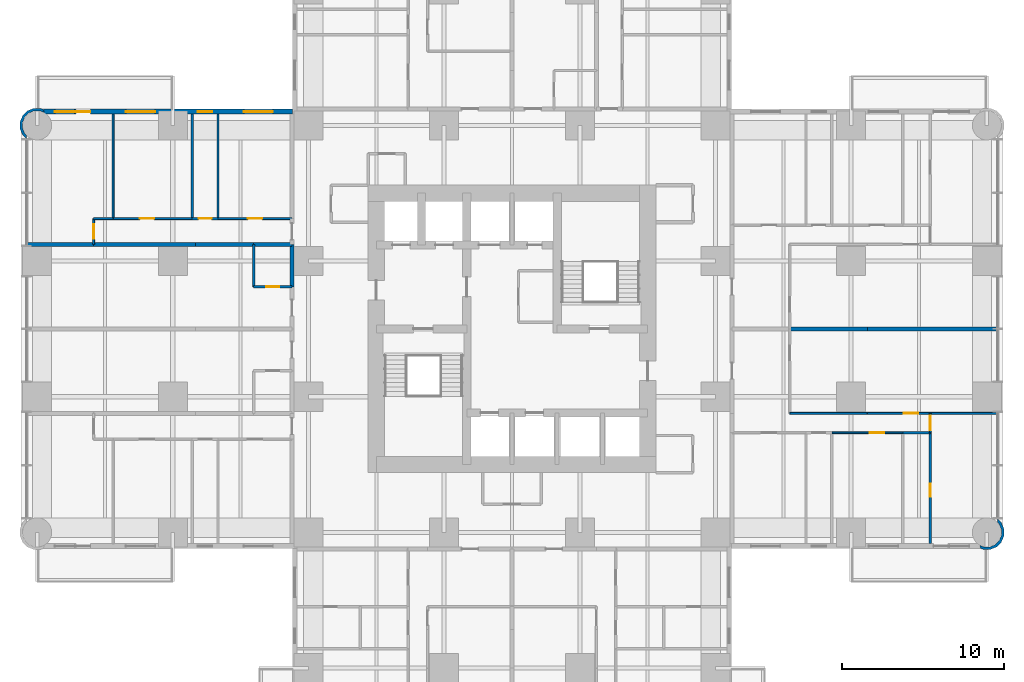
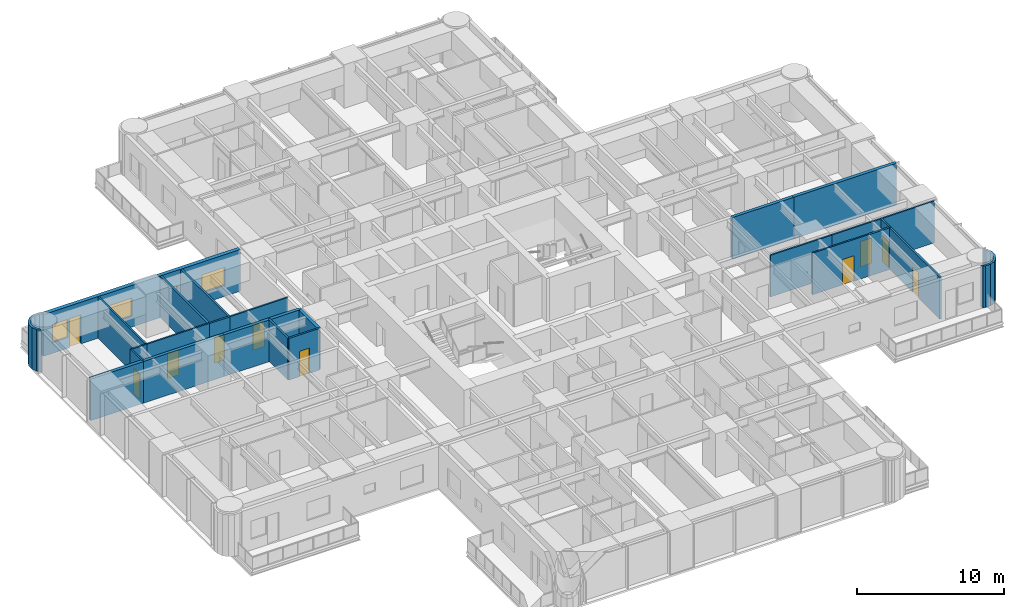
# One storey, part 11 of 17: 27 walls, 10 doors, 4 windows, 14 openings.
"""IFC4 building model written with IfcOpenShell, lengths in metres."""

from ifc_helpers import new_model, si_unit, direction, frame, frame_2d, origin, place, context, subcontext, project, spatial, polyline, rectangle, outline, extrude, material, layer, layer_set, type_object, element, fill, save


model = new_model("IFC4")

# Units and contexts
model_context = context("Model", 3, precision=1e-05, world=origin(), true_north=direction((0.0, 1.0)))
body_context = subcontext(model_context, "Body", "Model", "MODEL_VIEW")
ifc_project = project(units=[si_unit("LENGTHUNIT", "METRE"), si_unit("AREAUNIT", "SQUARE_METRE"), si_unit("VOLUMEUNIT", "CUBIC_METRE"), si_unit("PLANEANGLEUNIT", "RADIAN"), si_unit("MASSUNIT", "GRAM", prefix="KILO")], contexts=[model_context])

# Site, building, storey
site_placement = place(None, origin())
site = spatial("IfcSite", under=ifc_project, at=site_placement, CompositionType="ELEMENT")
building_placement = place(site_placement, origin())
building = spatial("IfcBuilding", under=site, at=building_placement, Name="Torre Alcanfor", CompositionType="ELEMENT")
storey_placement = place(building_placement, frame((0.0, 0.0, 70.5)))
storey = spatial("IfcBuildingStorey", under=building, at=storey_placement, Name="L17", CompositionType="ELEMENT", Elevation=70.5)

# Walls
ifc_material_1 = material(Name="Concrete block masonry, hollow blocks NMX-C-404 9 MPa", Category="masonry")
ifc_layer_1 = layer(ifc_material_1, 0.25)
ifc_layer_set_1 = layer_set([ifc_layer_1], Name="Apartment entrance wall 250 EI 60")
wall_type_1 = type_object("IfcWallType", Name="Apartment entrance wall 250 EI 60", PredefinedType="PARTITIONING", material=ifc_layer_set_1)
wall_1_placement = place(storey_placement, frame((15.77490234375, 32.0, 0.0), z_axis=(0.0, 0.0, 1.0), x_axis=(0.0, 1.0, 0.0)))
element("IfcWall", 1, at=wall_1_placement, inside=storey, type_object=wall_type_1, Name="Partition L17-CORR / L17-W2A-BATH", PredefinedType="PARTITIONING", context=body_context, shape_type="SweptSolid", body=[
    extrude(rectangle(XDim=2.62890625, YDim=0.25, at=frame_2d((1.314453125, 0.0))), origin(), (0.0, 0.0, 1.0), 3.449951171875),
])
ifc_material_2 = material(Name="Gypsum board on steel studs", Category="steel")
ifc_layer_2 = layer(ifc_material_2, 0.1201171875)
ifc_layer_set_2 = layer_set([ifc_layer_2], Name="Apartment partition 120")
wall_type_2 = type_object("IfcWallType", Name="Apartment partition 120", PredefinedType="PARTITIONING", material=ifc_layer_set_2)
wall_2_placement = place(storey_placement, frame((51.39990234375, 24.1708984375, 0.0), z_axis=(0.0, 0.0, 1.0), x_axis=(-1.0, 0.0, 0.0)))
element("IfcWall", 2, at=wall_2_placement, inside=storey, type_object=wall_type_2, Name="Partition L17-E2-KITCHEN / L17-E2-HALL", PredefinedType="PARTITIONING", context=body_context, shape_type="SweptSolid", body=[
    extrude(rectangle(XDim=4.7998046875, YDim=0.1201171875, at=frame_2d((2.39990234375, 0.0))), origin(), (0.0, 0.0, 1.0), 3.449951171875),
])

# Wall, opening, door
wall_3_placement = place(storey_placement, frame((55.300048828125, 24.1708984375, 0.0), z_axis=(0.0, 0.0, 1.0), x_axis=(-1.0, 0.0, 0.0)))
wall_3 = element("IfcWall", 3, at=wall_3_placement, inside=storey, type_object=wall_type_2, Name="Partition L17-E2-LIVING / L17-E2-HALL", PredefinedType="PARTITIONING", context=body_context, shape_type="SweptSolid", body=[
    extrude(rectangle(XDim=3.900146484375, YDim=0.1201171875, at=frame_2d((1.9501953125, 0.0))), origin(), (0.0, 0.0, 1.0), 3.449951171875),
])
opening_1_placement = place(wall_3_placement, frame((0.75, 0.0, 0.0)))
opening_1 = element("IfcOpeningElement", 4, at=opening_1_placement, cuts=wall_3, Name="Opening D-R1", PredefinedType="OPENING", context=body_context, shape_type="SweptSolid", body=[
    extrude(rectangle(XDim=0.89990234375, YDim=2.10009765625, at=frame_2d((0.449951171875, 1.050048828125))), frame((0.0, 0.070068359375, 0.0), z_axis=(0.0, -1.0, 0.0), x_axis=(1.0, 0.0, 0.0)), (0.0, 0.0, 1.0), 0.14013671875),
])
ifc_material_3 = material(Name="Timber", Category="wood")
door_type_1 = type_object("IfcDoorType", Name="Internal door 900x2100", OperationType="SINGLE_SWING_LEFT", PredefinedType="DOOR", material=ifc_material_3)
door_1_placement = place(opening_1_placement, frame((0.89990234375, 0.0, 0.0), z_axis=(0.0, 0.0, 1.0), x_axis=(-1.0, 0.0, 0.0)))
door_1 = element("IfcDoor", 5, at=door_1_placement, inside=storey, type_object=door_type_1, Name="Door L17-E2 living", OperationType="SINGLE_SWING_LEFT", OverallHeight=2.10009765625, OverallWidth=0.89990234375, PredefinedType="DOOR", context=body_context, shape_type="SweptSolid", body=[
    extrude(rectangle(XDim=0.89990234375, YDim=2.10009765625, at=frame_2d((0.449951171875, 1.050048828125))), frame((0.0, 0.025146484375, 0.0), z_axis=(0.0, -1.0, 0.0), x_axis=(1.0, 0.0, 0.0)), (0.0, 0.0, 1.0), 0.050048828125),
])
fill(opening_1, door_1)

# Wall
wall_4_placement = place(storey_placement, frame((59.449951171875, 24.1708984375, 0.0), z_axis=(0.0, 0.0, 1.0), x_axis=(-1.0, 0.0, 0.0)))
element("IfcWall", 6, at=wall_4_placement, inside=storey, type_object=wall_type_2, Name="Partition L17-E2-LIVING / L17-E2-MASTER", PredefinedType="PARTITIONING", context=body_context, shape_type="SweptSolid", body=[
    extrude(rectangle(XDim=4.14990234375, YDim=0.1201171875, at=frame_2d((2.074951171875, 0.0))), origin(), (0.0, 0.0, 1.0), 3.449951171875),
])

# Wall, opening, door
wall_5_placement = place(storey_placement, frame((53.60009765625, 22.970947265625, 0.0), z_axis=(0.0, 0.0, 1.0), x_axis=(-1.0, 0.0, 0.0)))
wall_5 = element("IfcWall", 7, at=wall_5_placement, inside=storey, type_object=wall_type_2, Name="Partition L17-E2-HALL / L17-E2-BED2", PredefinedType="PARTITIONING", context=body_context, shape_type="SweptSolid", body=[
    extrude(rectangle(XDim=4.400146484375, YDim=0.1201171875, at=frame_2d((2.2001953125, 0.0))), origin(), (0.0, 0.0, 1.0), 3.449951171875),
])
opening_2_placement = place(wall_5_placement, frame((1.14990234375, 0.0, 0.0)))
opening_2 = element("IfcOpeningElement", 8, at=opening_2_placement, cuts=wall_5, Name="Opening D-R1", PredefinedType="OPENING", context=body_context, shape_type="SweptSolid", body=[
    extrude(rectangle(XDim=0.89990234375, YDim=2.10009765625, at=frame_2d((0.449951171875, 1.050048828125))), frame((0.0, 0.070068359375, 0.0), z_axis=(0.0, -1.0, 0.0), x_axis=(1.0, 0.0, 0.0)), (0.0, 0.0, 1.0), 0.14013671875),
])
door_2_placement = place(opening_2_placement, origin())
door_2 = element("IfcDoor", 9, at=door_2_placement, inside=storey, type_object=door_type_1, Name="Door L17-E2 bed2", OperationType="SINGLE_SWING_LEFT", OverallHeight=2.10009765625, OverallWidth=0.89990234375, PredefinedType="DOOR", context=body_context, shape_type="SweptSolid", body=[
    extrude(rectangle(XDim=0.89990234375, YDim=2.10009765625, at=frame_2d((0.449951171875, 1.050048828125))), frame((0.0, 0.02490234375, 0.0), z_axis=(0.0, -1.0, 0.0), x_axis=(1.0, 0.0, 0.0)), (0.0, 0.0, 1.0), 0.050048828125),
])
fill(opening_2, door_2)

wall_6_placement = place(storey_placement, frame((55.300048828125, 24.1708984375, 0.0), z_axis=(0.0, 0.0, 1.0), x_axis=(0.0, -1.0, 0.0)))
wall_6 = element("IfcWall", 10, at=wall_6_placement, inside=storey, type_object=wall_type_2, Name="Partition L17-E2-HALL / L17-E2-MASTER", PredefinedType="PARTITIONING", context=body_context, shape_type="SweptSolid", body=[
    extrude(rectangle(XDim=1.199951171875, YDim=0.1201171875, at=frame_2d((0.60009765625, 0.0))), origin(), (0.0, 0.0, 1.0), 3.449951171875),
])
opening_3_placement = place(wall_6_placement, frame((0.15087890625, 0.0, 0.0)))
opening_3 = element("IfcOpeningElement", 11, at=opening_3_placement, cuts=wall_6, Name="Opening D-R1", PredefinedType="OPENING", context=body_context, shape_type="SweptSolid", body=[
    extrude(rectangle(XDim=0.89990234375, YDim=2.10009765625, at=frame_2d((0.449951171875, 1.050048828125))), frame((0.0, 0.070068359375, 0.0), z_axis=(0.0, -1.0, 0.0), x_axis=(1.0, 0.0, 0.0)), (0.0, 0.0, 1.0), 0.14013671875),
])
door_3_placement = place(opening_3_placement, origin())
door_3 = element("IfcDoor", 12, at=door_3_placement, inside=storey, type_object=door_type_1, Name="Door L17-E2 master", OperationType="SINGLE_SWING_LEFT", OverallHeight=2.10009765625, OverallWidth=0.89990234375, PredefinedType="DOOR", context=body_context, shape_type="SweptSolid", body=[
    extrude(rectangle(XDim=0.89990234375, YDim=2.10009765625, at=frame_2d((0.449951171875, 1.050048828125))), frame((0.0, 0.02490234375, 0.0), z_axis=(0.0, -1.0, 0.0), x_axis=(1.0, 0.0, 0.0)), (0.0, 0.0, 1.0), 0.050048828125),
])
fill(opening_3, door_3)

wall_7_placement = place(storey_placement, frame((11.199951171875, 36.22900390625, 0.0), z_axis=(0.0, 0.0, 1.0), x_axis=(1.0, 0.0, 0.0)))
wall_7 = element("IfcWall", 13, at=wall_7_placement, inside=storey, type_object=wall_type_2, Name="Partition L17-W2B-HALL / L17-W2B-BED2", PredefinedType="PARTITIONING", context=body_context, shape_type="SweptSolid", body=[
    extrude(rectangle(XDim=4.574951171875, YDim=0.1201171875, at=frame_2d((2.28759765625, 0.0))), origin(), (0.0, 0.0, 1.0), 3.449951171875),
])
opening_4_placement = place(wall_7_placement, frame((1.85009765625, 0.0, 0.0)))
opening_4 = element("IfcOpeningElement", 14, at=opening_4_placement, cuts=wall_7, Name="Opening D-R1", PredefinedType="OPENING", context=body_context, shape_type="SweptSolid", body=[
    extrude(rectangle(XDim=0.89990234375, YDim=2.10009765625, at=frame_2d((0.449951171875, 1.050048828125))), frame((0.0, 0.070068359375, 0.0), z_axis=(0.0, -1.0, 0.0), x_axis=(1.0, 0.0, 0.0)), (0.0, 0.0, 1.0), 0.14013671875),
])
door_4_placement = place(opening_4_placement, origin())
door_4 = element("IfcDoor", 15, at=door_4_placement, inside=storey, type_object=door_type_1, Name="Door L17-W2B bed2", OperationType="SINGLE_SWING_RIGHT", OverallHeight=2.10009765625, OverallWidth=0.89990234375, PredefinedType="DOOR", context=body_context, shape_type="SweptSolid", body=[
    extrude(rectangle(XDim=0.89990234375, YDim=2.10009765625, at=frame_2d((0.449951171875, 1.050048828125))), frame((0.0, 0.02490234375, 0.0), z_axis=(0.0, -1.0, 0.0), x_axis=(1.0, 0.0, 0.0)), (0.0, 0.0, 1.0), 0.050048828125),
])
fill(opening_4, door_4)

wall_8_placement = place(storey_placement, frame((4.699951171875, 36.22900390625, 0.0), z_axis=(0.0, 0.0, 1.0), x_axis=(1.0, 0.0, 0.0)))
wall_8 = element("IfcWall", 16, at=wall_8_placement, inside=storey, type_object=wall_type_2, Name="Partition L17-W2B-HALL / L17-W2B-MASTER", PredefinedType="PARTITIONING", context=body_context, shape_type="SweptSolid", body=[
    extrude(rectangle(XDim=4.900146484375, YDim=0.1201171875, at=frame_2d((2.4501953125, 0.0))), origin(), (0.0, 0.0, 1.0), 3.449951171875),
])
opening_5_placement = place(wall_8_placement, frame((1.64990234375, 0.0, 0.0)))
opening_5 = element("IfcOpeningElement", 17, at=opening_5_placement, cuts=wall_8, Name="Opening D-R1", PredefinedType="OPENING", context=body_context, shape_type="SweptSolid", body=[
    extrude(rectangle(XDim=0.89990234375, YDim=2.10009765625, at=frame_2d((0.449951171875, 1.050048828125))), frame((0.0, 0.070068359375, 0.0), z_axis=(0.0, -1.0, 0.0), x_axis=(1.0, 0.0, 0.0)), (0.0, 0.0, 1.0), 0.14013671875),
])
door_5_placement = place(opening_5_placement, origin())
door_5 = element("IfcDoor", 18, at=door_5_placement, inside=storey, type_object=door_type_1, Name="Door L17-W2B master", OperationType="SINGLE_SWING_LEFT", OverallHeight=2.10009765625, OverallWidth=0.89990234375, PredefinedType="DOOR", context=body_context, shape_type="SweptSolid", body=[
    extrude(rectangle(XDim=0.89990234375, YDim=2.10009765625, at=frame_2d((0.449951171875, 1.050048828125))), frame((0.0, 0.02490234375, 0.0), z_axis=(0.0, -1.0, 0.0), x_axis=(1.0, 0.0, 0.0)), (0.0, 0.0, 1.0), 0.050048828125),
])
fill(opening_5, door_5)

# Wall
wall_9_placement = place(storey_placement, frame((3.5, 36.22900390625, 0.0), z_axis=(0.0, 0.0, 1.0), x_axis=(1.0, 0.0, 0.0)))
element("IfcWall", 19, at=wall_9_placement, inside=storey, type_object=wall_type_2, Name="Partition L17-W2B-HALL / L17-W2B-KITCHEN", PredefinedType="PARTITIONING", context=body_context, shape_type="SweptSolid", body=[
    extrude(rectangle(XDim=1.199951171875, YDim=0.1201171875, at=frame_2d((0.60009765625, 0.0))), origin(), (0.0, 0.0, 1.0), 3.449951171875),
])

# Wall, opening, door
wall_10_placement = place(storey_placement, frame((3.5, 34.62890625, 0.0), z_axis=(0.0, 0.0, 1.0), x_axis=(0.0, 1.0, 0.0)))
wall_10 = element("IfcWall", 20, at=wall_10_placement, inside=storey, type_object=wall_type_2, Name="Partition L17-W2B-HALL / L17-W2B-LIVING", PredefinedType="PARTITIONING", context=body_context, shape_type="SweptSolid", body=[
    extrude(rectangle(XDim=1.60009765625, YDim=0.1201171875, at=frame_2d((0.800048828125, 0.0))), origin(), (0.0, 0.0, 1.0), 3.449951171875),
])
opening_6_placement = place(wall_10_placement, frame((0.35009765625, 0.0, 0.0)))
opening_6 = element("IfcOpeningElement", 21, at=opening_6_placement, cuts=wall_10, Name="Opening D-R1", PredefinedType="OPENING", context=body_context, shape_type="SweptSolid", body=[
    extrude(rectangle(XDim=0.89990234375, YDim=2.10009765625, at=frame_2d((0.449951171875, 1.050048828125))), frame((0.0, 0.070068359375, 0.0), z_axis=(0.0, -1.0, 0.0), x_axis=(1.0, 0.0, 0.0)), (0.0, 0.0, 1.0), 0.14013671875),
])
door_6_placement = place(opening_6_placement, origin())
door_6 = element("IfcDoor", 22, at=door_6_placement, inside=storey, type_object=door_type_1, Name="Door L17-W2B living", OperationType="SINGLE_SWING_LEFT", OverallHeight=2.10009765625, OverallWidth=0.89990234375, PredefinedType="DOOR", context=body_context, shape_type="SweptSolid", body=[
    extrude(rectangle(XDim=0.89990234375, YDim=2.10009765625, at=frame_2d((0.449951171875, 1.050048828125))), frame((0.0, 0.02490234375, 0.0), z_axis=(0.0, -1.0, 0.0), x_axis=(1.0, 0.0, 0.0)), (0.0, 0.0, 1.0), 0.050048828125),
])
fill(opening_6, door_6)

# Wall
wall_11_placement = place(storey_placement, frame((4.699951171875, 36.22900390625, 0.0), z_axis=(0.0, 0.0, 1.0), x_axis=(0.0, 1.0, 0.0)))
element("IfcWall", 23, at=wall_11_placement, inside=storey, type_object=wall_type_2, Name="Partition L17-W2B-MASTER / L17-W2B-KITCHEN", PredefinedType="PARTITIONING", context=body_context, shape_type="SweptSolid", body=[
    extrude(rectangle(XDim=6.470947265625, YDim=0.1201171875, at=frame_2d((3.2353515625, 0.0))), origin(), (0.0, 0.0, 1.0), 3.449951171875),
])

# Wall, openings, door, windows
ifc_material_4 = material(Name="Limestone cladding", Category="masonry")
ifc_layer_3 = layer(ifc_material_4, 0.0400390625, Name="Facing")
ifc_material_5 = material(Name="Ventilated air cavity")
ifc_layer_4 = layer(ifc_material_5, 0.02001953125, ventilated=True, Name="Ventilated joint")
ifc_material_6 = material(Name="Mineral wool insulation", Category="insulation")
ifc_layer_5 = layer(ifc_material_6, 0.10009765625, Name="Insulation")
ifc_material_7 = material(Name="Concrete f'c 35 MPa", Category="concrete")
ifc_layer_6 = layer(ifc_material_7, 0.139892578125, Name="Backing")
ifc_layer_set_3 = layer_set([ifc_layer_3, ifc_layer_4, ifc_layer_5, ifc_layer_6], Name="External wall stone-clad 300")
wall_type_3 = type_object("IfcWallType", Name="External wall stone-clad 300", PredefinedType="SOLIDWALL", material=ifc_layer_set_3)
wall_12_placement = place(storey_placement, frame((15.800048828125, 42.85009765625, 0.0), z_axis=(0.0, 0.0, 1.0), x_axis=(-1.0, 0.0, 0.0)))
wall_12 = element("IfcWall", 24, at=wall_12_placement, inside=storey, type_object=wall_type_3, Name="External wall L17 1", PredefinedType="SOLIDWALL", context=body_context, shape_type="SweptSolid", body=[
    extrude(rectangle(XDim=15.400146484375, YDim=0.300048828125, at=frame_2d((7.7001953125, 0.0))), origin(), (0.0, 0.0, 1.0), 3.449951171875),
])
opening_7_placement = place(wall_12_placement, frame((1.199951171875, 0.0, 0.89990234375)))
opening_7 = element("IfcOpeningElement", 25, at=opening_7_placement, cuts=wall_12, Name="Opening W2", PredefinedType="OPENING", context=body_context, shape_type="SweptSolid", body=[
    extrude(rectangle(XDim=1.800048828125, YDim=1.5, at=frame_2d((0.89990234375, 0.75))), frame((0.0, 0.159912109375, 0.0), z_axis=(0.0, -1.0, 0.0), x_axis=(1.0, 0.0, 0.0)), (0.0, 0.0, 1.0), 0.320068359375),
])
opening_8_placement = place(wall_12_placement, frame((4.949951171875, 0.0, 1.5)))
opening_8 = element("IfcOpeningElement", 26, at=opening_8_placement, cuts=wall_12, Name="Opening W3", PredefinedType="OPENING", context=body_context, shape_type="SweptSolid", body=[
    extrude(rectangle(XDim=0.89990234375, YDim=0.699951171875, at=frame_2d((0.449951171875, 0.35009765625))), frame((0.0, 0.159912109375, 0.0), z_axis=(0.0, -1.0, 0.0), x_axis=(1.0, 0.0, 0.0)), (0.0, 0.0, 1.0), 0.320068359375),
])
opening_9_placement = place(wall_12_placement, frame((8.5, 0.0, 0.89990234375)))
opening_9 = element("IfcOpeningElement", 27, at=opening_9_placement, cuts=wall_12, Name="Opening W2", PredefinedType="OPENING", context=body_context, shape_type="SweptSolid", body=[
    extrude(rectangle(XDim=1.800048828125, YDim=1.5, at=frame_2d((0.89990234375, 0.75))), frame((0.0, 0.159912109375, 0.0), z_axis=(0.0, -1.0, 0.0), x_axis=(1.0, 0.0, 0.0)), (0.0, 0.0, 1.0), 0.320068359375),
])
opening_10_placement = place(wall_12_placement, frame((12.5, 0.0, 0.0)))
opening_10 = element("IfcOpeningElement", 28, at=opening_10_placement, cuts=wall_12, Name="Opening D-B1", PredefinedType="OPENING", context=body_context, shape_type="SweptSolid", body=[
    extrude(rectangle(XDim=0.89990234375, YDim=2.39990234375, at=frame_2d((0.449951171875, 1.199951171875))), frame((0.0, 0.159912109375, 0.0), z_axis=(0.0, -1.0, 0.0), x_axis=(1.0, 0.0, 0.0)), (0.0, 0.0, 1.0), 0.320068359375),
])
opening_11_placement = place(wall_12_placement, frame((13.5, 0.0, 0.89990234375)))
opening_11 = element("IfcOpeningElement", 29, at=opening_11_placement, cuts=wall_12, Name="Opening W4", PredefinedType="OPENING", context=body_context, shape_type="SweptSolid", body=[
    extrude(rectangle(XDim=1.199951171875, YDim=1.5, at=frame_2d((0.60009765625, 0.75))), frame((0.0, 0.159912109375, 0.0), z_axis=(0.0, -1.0, 0.0), x_axis=(1.0, 0.0, 0.0)), (0.0, 0.0, 1.0), 0.320068359375),
])
ifc_material_8 = material(Name="Aluminium and glass", Category="aluminium")
door_type_2 = type_object("IfcDoorType", Name="Balcony door glazed 900x2400", OperationType="SINGLE_SWING_LEFT", PredefinedType="DOOR", material=ifc_material_8)
door_7_placement = place(opening_10_placement, origin())
door_7 = element("IfcDoor", 30, at=door_7_placement, inside=storey, type_object=door_type_2, Name="Balcony door L17-W2", OperationType="SINGLE_SWING_LEFT", OverallHeight=2.39990234375, OverallWidth=0.89990234375, PredefinedType="DOOR", context=body_context, shape_type="SweptSolid", body=[
    extrude(rectangle(XDim=0.89990234375, YDim=2.39990234375, at=frame_2d((0.449951171875, 1.199951171875))), frame((0.0, 0.02490234375, 0.0), z_axis=(0.0, -1.0, 0.0), x_axis=(1.0, 0.0, 0.0)), (0.0, 0.0, 1.0), 0.050048828125),
])
fill(opening_10, door_7)
ifc_material_9 = material(Name="Aluminium frame with clear double glazing", Category="aluminium")
window_type_1 = type_object("IfcWindowType", Name="Window bathroom 900x700", PartitioningType="SINGLE_PANEL", PredefinedType="WINDOW", material=ifc_material_9)
window_1_placement = place(opening_8_placement, origin())
window_1 = element("IfcWindow", 31, at=window_1_placement, inside=storey, type_object=window_type_1, Name="Window W3 L17-W2", OverallHeight=0.699951171875, OverallWidth=0.89990234375, PartitioningType="SINGLE_PANEL", PredefinedType="WINDOW", context=body_context, shape_type="SweptSolid", body=[
    extrude(rectangle(XDim=0.89990234375, YDim=0.699951171875, at=frame_2d((0.449951171875, 0.35009765625))), frame((0.0, 0.030029296875, 0.0), z_axis=(0.0, -1.0, 0.0), x_axis=(1.0, 0.0, 0.0)), (0.0, 0.0, 1.0), 0.06005859375),
])
fill(opening_8, window_1)
ifc_material_10 = material(Name="Aluminium frame with clear double glazing", Category="aluminium")
window_type_2 = type_object("IfcWindowType", Name="Window bedroom 1200x1500", PartitioningType="SINGLE_PANEL", PredefinedType="WINDOW", material=ifc_material_10)
window_2_placement = place(opening_11_placement, origin())
window_2 = element("IfcWindow", 32, at=window_2_placement, inside=storey, type_object=window_type_2, Name="Window W4 L17-W2", OverallHeight=1.5, OverallWidth=1.199951171875, PartitioningType="SINGLE_PANEL", PredefinedType="WINDOW", context=body_context, shape_type="SweptSolid", body=[
    extrude(rectangle(XDim=1.199951171875, YDim=1.5, at=frame_2d((0.60009765625, 0.75))), frame((0.0, 0.030029296875, 0.0), z_axis=(0.0, -1.0, 0.0), x_axis=(1.0, 0.0, 0.0)), (0.0, 0.0, 1.0), 0.06005859375),
])
fill(opening_11, window_2)
ifc_material_11 = material(Name="Aluminium frame with clear double glazing", Category="aluminium")
window_type_3 = type_object("IfcWindowType", Name="Window bedroom 1800x1500", PartitioningType="SINGLE_PANEL", PredefinedType="WINDOW", material=ifc_material_11)
window_3_placement = place(opening_7_placement, origin())
window_3 = element("IfcWindow", 33, at=window_3_placement, inside=storey, type_object=window_type_3, Name="Window W2 L17-W2", OverallHeight=1.5, OverallWidth=1.800048828125, PartitioningType="SINGLE_PANEL", PredefinedType="WINDOW", context=body_context, shape_type="SweptSolid", body=[
    extrude(rectangle(XDim=1.800048828125, YDim=1.5, at=frame_2d((0.89990234375, 0.75))), frame((0.0, 0.030029296875, 0.0), z_axis=(0.0, -1.0, 0.0), x_axis=(1.0, 0.0, 0.0)), (0.0, 0.0, 1.0), 0.06005859375),
])
fill(opening_7, window_3)
window_4_placement = place(opening_9_placement, origin())
window_4 = element("IfcWindow", 34, at=window_4_placement, inside=storey, type_object=window_type_3, Name="Window W2 L17-W2", OverallHeight=1.5, OverallWidth=1.800048828125, PartitioningType="SINGLE_PANEL", PredefinedType="WINDOW", context=body_context, shape_type="SweptSolid", body=[
    extrude(rectangle(XDim=1.800048828125, YDim=1.5, at=frame_2d((0.89990234375, 0.75))), frame((0.0, 0.030029296875, 0.0), z_axis=(0.0, -1.0, 0.0), x_axis=(1.0, 0.0, 0.0)), (0.0, 0.0, 1.0), 0.06005859375),
])
fill(opening_9, window_4)

# Walls
ifc_material_12 = material(Name="Concrete block masonry, hollow blocks NMX-C-404 9 MPa", Category="masonry")
ifc_layer_7 = layer(ifc_material_12, 0.25)
ifc_layer_set_4 = layer_set([ifc_layer_7], Name="Party wall 250 EI 60")
wall_type_4 = type_object("IfcWallType", Name="Party wall 250 EI 60", PredefinedType="PARTITIONING", material=ifc_layer_set_4)
wall_13_placement = place(storey_placement, frame((46.60009765625, 29.39990234375, 0.0), z_axis=(0.0, 0.0, 1.0), x_axis=(1.0, 0.0, 0.0)))
element("IfcWall", 35, at=wall_13_placement, inside=storey, type_object=wall_type_4, Name="Partition L17-E1-KITCHEN / L17-E2-KITCHEN", PredefinedType="PARTITIONING", context=body_context, shape_type="SweptSolid", body=[
    extrude(rectangle(XDim=4.7998046875, YDim=0.25, at=frame_2d((2.39990234375, 0.0))), origin(), (0.0, 0.0, 1.0), 3.449951171875),
])
wall_14_placement = place(storey_placement, frame((51.39990234375, 29.39990234375, 0.0), z_axis=(0.0, 0.0, 1.0), x_axis=(1.0, 0.0, 0.0)))
element("IfcWall", 36, at=wall_14_placement, inside=storey, type_object=wall_type_4, Name="Partition L17-E1-LIVING / L17-E2-LIVING", PredefinedType="PARTITIONING", context=body_context, shape_type="SweptSolid", body=[
    extrude(rectangle(XDim=8.050048828125, YDim=0.25, at=frame_2d((4.02490234375, 0.0))), origin(), (0.0, 0.0, 1.0), 3.449951171875),
])
wall_15_placement = place(storey_placement, frame((13.39990234375, 34.62890625, 0.0), z_axis=(0.0, 0.0, 1.0), x_axis=(1.0, 0.0, 0.0)))
element("IfcWall", 37, at=wall_15_placement, inside=storey, type_object=wall_type_4, Name="Partition L17-W2A-BATH / L17-W2B-HALL", PredefinedType="PARTITIONING", context=body_context, shape_type="SweptSolid", body=[
    extrude(rectangle(XDim=2.375, YDim=0.25, at=frame_2d((1.1875, 0.0))), origin(), (0.0, 0.0, 1.0), 3.449951171875),
])
wall_16_placement = place(storey_placement, frame((9.800048828125, 34.62890625, 0.0), z_axis=(0.0, 0.0, 1.0), x_axis=(1.0, 0.0, 0.0)))
element("IfcWall", 38, at=wall_16_placement, inside=storey, type_object=wall_type_4, Name="Partition L17-W2A-KITCHEN / L17-W2B-HALL", PredefinedType="PARTITIONING", context=body_context, shape_type="SweptSolid", body=[
    extrude(rectangle(XDim=3.599853515625, YDim=0.25, at=frame_2d((1.7998046875, 0.0))), origin(), (0.0, 0.0, 1.0), 3.449951171875),
])
wall_17_placement = place(storey_placement, frame((3.5, 34.62890625, 0.0), z_axis=(0.0, 0.0, 1.0), x_axis=(1.0, 0.0, 0.0)))
element("IfcWall", 39, at=wall_17_placement, inside=storey, type_object=wall_type_4, Name="Partition L17-W2A-STUDIO / L17-W2B-HALL", PredefinedType="PARTITIONING", context=body_context, shape_type="SweptSolid", body=[
    extrude(rectangle(XDim=6.300048828125, YDim=0.25, at=frame_2d((3.14990234375, 0.0))), origin(), (0.0, 0.0, 1.0), 3.449951171875),
])
wall_18_placement = place(storey_placement, frame((-0.64990234375, 34.62890625, 0.0), z_axis=(0.0, 0.0, 1.0), x_axis=(1.0, 0.0, 0.0)))
element("IfcWall", 40, at=wall_18_placement, inside=storey, type_object=wall_type_4, Name="Partition L17-W2A-STUDIO / L17-W2B-LIVING", PredefinedType="PARTITIONING", context=body_context, shape_type="SweptSolid", body=[
    extrude(rectangle(XDim=4.14990234375, YDim=0.25, at=frame_2d((2.074951171875, 0.0))), origin(), (0.0, 0.0, 1.0), 3.449951171875),
])
ifc_layer_8 = layer(ifc_material_4, 0.0400390625, Name="Facing")
ifc_layer_9 = layer(ifc_material_5, 0.02001953125, ventilated=True, Name="Ventilated joint")
ifc_layer_10 = layer(ifc_material_6, 0.10009765625, Name="Insulation")
ifc_layer_11 = layer(ifc_material_7, 0.139892578125, Name="Backing")
ifc_layer_set_5 = layer_set([ifc_layer_8, ifc_layer_9, ifc_layer_10, ifc_layer_11], Name="Rounded corner pier stone-clad 300")
wall_type_5 = type_object("IfcWallType", Name="Rounded corner pier stone-clad 300", PredefinedType="SOLIDWALL", material=ifc_layer_set_5)
wall_19_placement = place(storey_placement, frame((0.363962863, 42.909907157, 0.0), z_axis=(0.0, 0.0, 1.0), x_axis=(-0.926129809145, 0.377204953059, 0.0)))
element("IfcWall", 41, at=wall_19_placement, inside=storey, type_object=wall_type_5, Name="Corner pier L17 13", PredefinedType="SOLIDWALL", context=body_context, shape_type="SweptSolid", body=[
    extrude(outline(polyline([(0.36027248147905344, 1.8032799323574271), (0.5087783723473315, 1.740921099842025), (0.7605913470133172, 1.4857584601095954), (0.8957810128069955, 1.1538349835897281), (0.8939031559639274, 0.7953461823991875), (0.7547957339381889, 0.4650577343600455), (0.4996330942057594, 0.21324475969405968), (0.1677096176858921, 0.07805509390038129), (-0.09992182078970525, 0.07950523369113624), (0.0006988421670046999, -0.09699421764222865), (0.0300177129428464, -0.08030783699434613), (0.19858532179107968, -0.08124570553990346), (0.5888441232034033, 0.0777034519259609), (0.8888369702307105, 0.374136779300854), (1.052603126025944, 0.7629734686109036), (1.0550818122472803, 1.1847106876949156), (0.8961326547814159, 1.5749694891072394), (0.7776866026168303, 1.6949130219751851), (0.7691400347446393, 1.7275471706587737), (0.7502646662372825, 1.7227591424871238), (0.599699327406523, 1.8749623361345464), (0.2945484394782597, 2.0034825844222954), (0.2809820848521072, 1.9979571212427172), (0.36027248147905344, 1.8032799323574271)])), origin(), (0.0, 0.0, 1.0), 3.449951171875),
])
wall_20_placement = place(storey_placement, frame((58.436037137, 15.890092843, 0.0), z_axis=(0.0, 0.0, 1.0), x_axis=(0.926129809145, -0.377204953059, 0.0)))
element("IfcWall", 42, at=wall_20_placement, inside=storey, type_object=wall_type_5, Name="Corner pier L17 17", PredefinedType="SOLIDWALL", context=body_context, shape_type="SweptSolid", body=[
    extrude(outline(polyline([(0.769166837716128, 1.7276108100514604), (0.7500653632983351, 1.7227306908268178), (0.5995000244675756, 1.8749338844742405), (0.2945752424497483, 2.003546223814982), (0.2810088878235957, 1.9980207606354041), (0.36029928445054193, 1.803343571750114), (0.5086711604613772, 1.740666542271283), (0.7606181499848057, 1.4858220995022824), (0.8958078157784841, 1.153898622982415), (0.8937038530249802, 0.7953177307388815), (0.7545964309992416, 0.4650292826997394), (0.49975198823024103, 0.21308229317631072), (0.16782851171037358, 0.07789262738263233), (-0.0998950178182167, 0.07956887308382314), (0.0004995392280573718, -0.09702266930253471), (0.03004451591433495, -0.08024419760165923), (0.19838601885213236, -0.08127415720020953), (0.5888709261748919, 0.07776709131864781), (0.888863773202199, 0.37420041869354087), (1.0524038230869968, 0.7629450169505976), (1.0552007062717619, 1.1845482211771667), (0.8961594577529046, 1.5750331284999262), (0.777713405588319, 1.694976661367872), (0.769166837716128, 1.7276108100514604)])), origin(), (0.0, 0.0, 1.0), 3.449951171875),
])
ifc_material_13 = material(Name="Cement board on steel studs", Category="steel")
ifc_layer_12 = layer(ifc_material_13, 0.14990234375)
ifc_layer_set_6 = layer_set([ifc_layer_12], Name="Wet area partition 150")
wall_type_6 = type_object("IfcWallType", Name="Wet area partition 150", PredefinedType="PARTITIONING", material=ifc_layer_set_6)
wall_21_placement = place(storey_placement, frame((55.300048828125, 22.970947265625, 0.0), z_axis=(0.0, 0.0, 1.0), x_axis=(-1.0, 0.0, 0.0)))
element("IfcWall", 43, at=wall_21_placement, inside=storey, type_object=wall_type_6, Name="Partition L17-E2-HALL / L17-E2-ENSBATH", PredefinedType="PARTITIONING", context=body_context, shape_type="SweptSolid", body=[
    extrude(rectangle(XDim=1.699951171875, YDim=0.14990234375, at=frame_2d((0.85009765625, 0.0))), origin(), (0.0, 0.0, 1.0), 3.449951171875),
])

# Wall, opening, door
wall_22_placement = place(storey_placement, frame((55.300048828125, 22.970947265625, 0.0), z_axis=(0.0, 0.0, 1.0), x_axis=(0.0, -1.0, 0.0)))
wall_22 = element("IfcWall", 44, at=wall_22_placement, inside=storey, type_object=wall_type_6, Name="Partition L17-E2-ENSBATH / L17-E2-MASTER", PredefinedType="PARTITIONING", context=body_context, shape_type="SweptSolid", body=[
    extrude(rectangle(XDim=6.870849609375, YDim=0.14990234375, at=frame_2d((3.435546875, 0.0))), origin(), (0.0, 0.0, 1.0), 3.449951171875),
])
opening_12_placement = place(wall_22_placement, frame((3.1708984375, 0.0, 0.0)))
opening_12 = element("IfcOpeningElement", 45, at=opening_12_placement, cuts=wall_22, Name="Opening D-R2", PredefinedType="OPENING", context=body_context, shape_type="SweptSolid", body=[
    extrude(rectangle(XDim=0.800048828125, YDim=2.10009765625, at=frame_2d((0.39990234375, 1.050048828125))), frame((0.0, 0.0849609375, 0.0), z_axis=(0.0, -1.0, 0.0), x_axis=(1.0, 0.0, 0.0)), (0.0, 0.0, 1.0), 0.169921875),
])
ifc_material_14 = material(Name="Timber", Category="wood")
door_type_3 = type_object("IfcDoorType", Name="Bathroom door 800x2100", OperationType="SINGLE_SWING_LEFT", PredefinedType="DOOR", material=ifc_material_14)
door_8_placement = place(opening_12_placement, frame((0.800048828125, 0.0, 0.0), z_axis=(0.0, 0.0, 1.0), x_axis=(-1.0, 0.0, 0.0)))
door_8 = element("IfcDoor", 46, at=door_8_placement, inside=storey, type_object=door_type_3, Name="Door L17-E2 ensbath", OperationType="SINGLE_SWING_LEFT", OverallHeight=2.10009765625, OverallWidth=0.800048828125, PredefinedType="DOOR", context=body_context, shape_type="SweptSolid", body=[
    extrude(rectangle(XDim=0.800048828125, YDim=2.10009765625, at=frame_2d((0.400146484375, 1.050048828125))), frame((0.0, 0.025146484375, 0.0), z_axis=(0.0, -1.0, 0.0), x_axis=(1.0, 0.0, 0.0)), (0.0, 0.0, 1.0), 0.050048828125),
])
fill(opening_12, door_8)

wall_23_placement = place(storey_placement, frame((13.39990234375, 32.0, 0.0), z_axis=(0.0, 0.0, 1.0), x_axis=(1.0, 0.0, 0.0)))
wall_23 = element("IfcWall", 47, at=wall_23_placement, inside=storey, type_object=wall_type_6, Name="Partition L17-W2A-FOYER / L17-W2A-BATH", PredefinedType="PARTITIONING", context=body_context, shape_type="SweptSolid", body=[
    extrude(rectangle(XDim=2.375, YDim=0.14990234375, at=frame_2d((1.1875, 0.0))), origin(), (0.0, 0.0, 1.0), 3.449951171875),
])
opening_13_placement = place(wall_23_placement, frame((0.800048828125, 0.0, 0.0)))
opening_13 = element("IfcOpeningElement", 48, at=opening_13_placement, cuts=wall_23, Name="Opening D-R2", PredefinedType="OPENING", context=body_context, shape_type="SweptSolid", body=[
    extrude(rectangle(XDim=0.800048828125, YDim=2.10009765625, at=frame_2d((0.39990234375, 1.050048828125))), frame((0.0, 0.0849609375, 0.0), z_axis=(0.0, -1.0, 0.0), x_axis=(1.0, 0.0, 0.0)), (0.0, 0.0, 1.0), 0.169921875),
])
door_9_placement = place(opening_13_placement, origin())
door_9 = element("IfcDoor", 49, at=door_9_placement, inside=storey, type_object=door_type_3, Name="Door L17-W2A bath", OperationType="SINGLE_SWING_RIGHT", OverallHeight=2.10009765625, OverallWidth=0.800048828125, PredefinedType="DOOR", context=body_context, shape_type="SweptSolid", body=[
    extrude(rectangle(XDim=0.800048828125, YDim=2.10009765625, at=frame_2d((0.39990234375, 1.050048828125))), frame((0.0, 0.02490234375, 0.0), z_axis=(0.0, -1.0, 0.0), x_axis=(1.0, 0.0, 0.0)), (0.0, 0.0, 1.0), 0.050048828125),
])
fill(opening_13, door_9)

# Wall
wall_24_placement = place(storey_placement, frame((13.39990234375, 32.0, 0.0), z_axis=(0.0, 0.0, 1.0), x_axis=(0.0, 1.0, 0.0)))
element("IfcWall", 50, at=wall_24_placement, inside=storey, type_object=wall_type_6, Name="Partition L17-W2A-BATH / L17-W2A-KITCHEN", PredefinedType="PARTITIONING", context=body_context, shape_type="SweptSolid", body=[
    extrude(rectangle(XDim=2.62890625, YDim=0.14990234375, at=frame_2d((1.314453125, 0.0))), origin(), (0.0, 0.0, 1.0), 3.449951171875),
])

# Wall, opening, door
wall_25_placement = place(storey_placement, frame((9.60009765625, 36.22900390625, 0.0), z_axis=(0.0, 0.0, 1.0), x_axis=(1.0, 0.0, 0.0)))
wall_25 = element("IfcWall", 51, at=wall_25_placement, inside=storey, type_object=wall_type_6, Name="Partition L17-W2B-HALL / L17-W2B-BATH", PredefinedType="PARTITIONING", context=body_context, shape_type="SweptSolid", body=[
    extrude(rectangle(XDim=1.599853515625, YDim=0.14990234375, at=frame_2d((0.7998046875, 0.0))), origin(), (0.0, 0.0, 1.0), 3.449951171875),
])
opening_14_placement = place(wall_25_placement, frame((0.39990234375, 0.0, 0.0)))
opening_14 = element("IfcOpeningElement", 52, at=opening_14_placement, cuts=wall_25, Name="Opening D-R2", PredefinedType="OPENING", context=body_context, shape_type="SweptSolid", body=[
    extrude(rectangle(XDim=0.800048828125, YDim=2.10009765625, at=frame_2d((0.39990234375, 1.050048828125))), frame((0.0, 0.0849609375, 0.0), z_axis=(0.0, -1.0, 0.0), x_axis=(1.0, 0.0, 0.0)), (0.0, 0.0, 1.0), 0.169921875),
])
door_10_placement = place(opening_14_placement, origin())
door_10 = element("IfcDoor", 53, at=door_10_placement, inside=storey, type_object=door_type_3, Name="Door L17-W2B bath", OperationType="SINGLE_SWING_LEFT", OverallHeight=2.10009765625, OverallWidth=0.800048828125, PredefinedType="DOOR", context=body_context, shape_type="SweptSolid", body=[
    extrude(rectangle(XDim=0.800048828125, YDim=2.10009765625, at=frame_2d((0.39990234375, 1.050048828125))), frame((0.0, 0.02490234375, 0.0), z_axis=(0.0, -1.0, 0.0), x_axis=(1.0, 0.0, 0.0)), (0.0, 0.0, 1.0), 0.050048828125),
])
fill(opening_14, door_10)

# Walls
for number, where, z_axis, x_axis, name in (
    (54, (11.199951171875, 36.22900390625, 0.0), (0.0, 0.0, 1.0), (0.0, 1.0, 0.0), "Partition L17-W2B-BED2 / L17-W2B-BATH"),
    (55, (9.60009765625, 36.22900390625, 0.0), (0.0, 0.0, 1.0), (0.0, 1.0, 0.0), "Partition L17-W2B-BATH / L17-W2B-MASTER"),
):
    element("IfcWall", number, at=place(storey_placement, frame(where, z_axis=z_axis, x_axis=x_axis)), inside=storey, type_object=wall_type_6, Name=name, PredefinedType="PARTITIONING", context=body_context, shape_type="SweptSolid", body=[
        extrude(rectangle(XDim=6.470947265625, YDim=0.14990234375, at=frame_2d((3.2353515625, 0.0))), origin(), (0.0, 0.0, 1.0), 3.449951171875),
    ])

save(model, "model.ifc")
